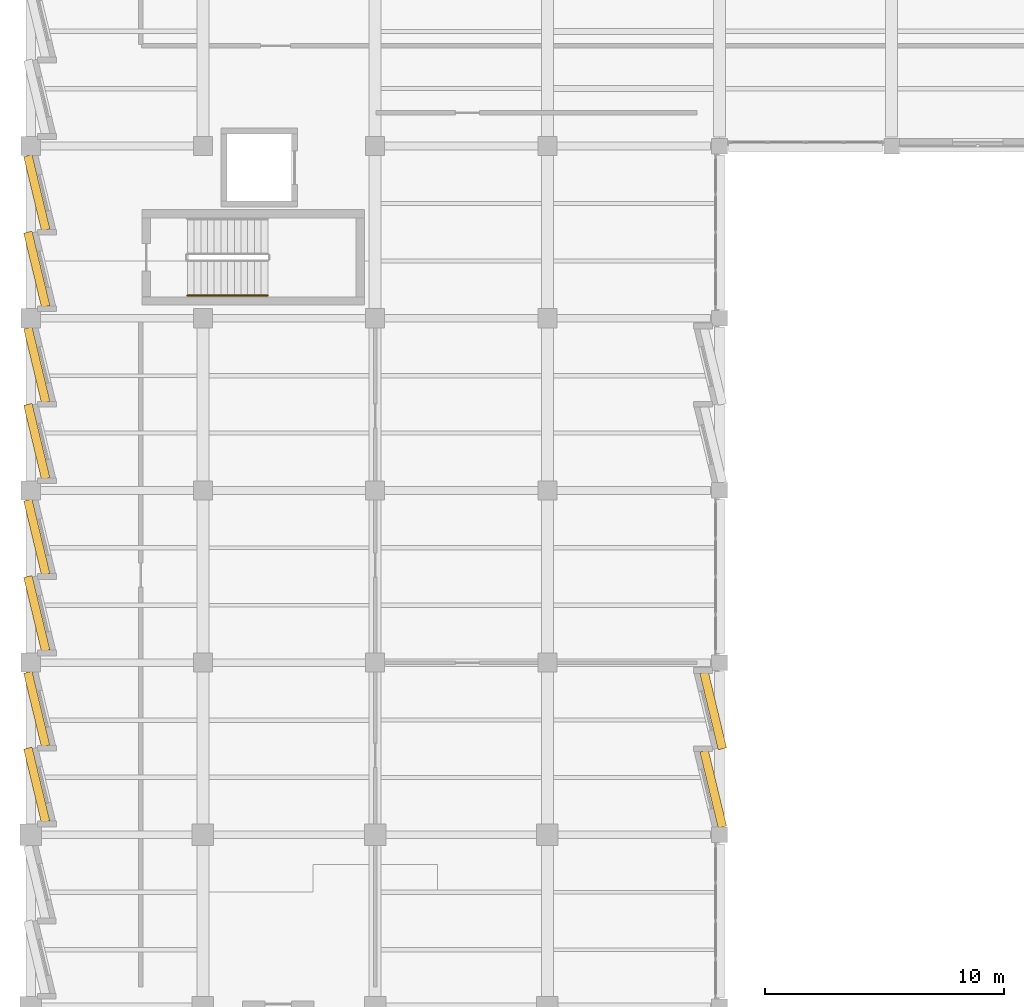
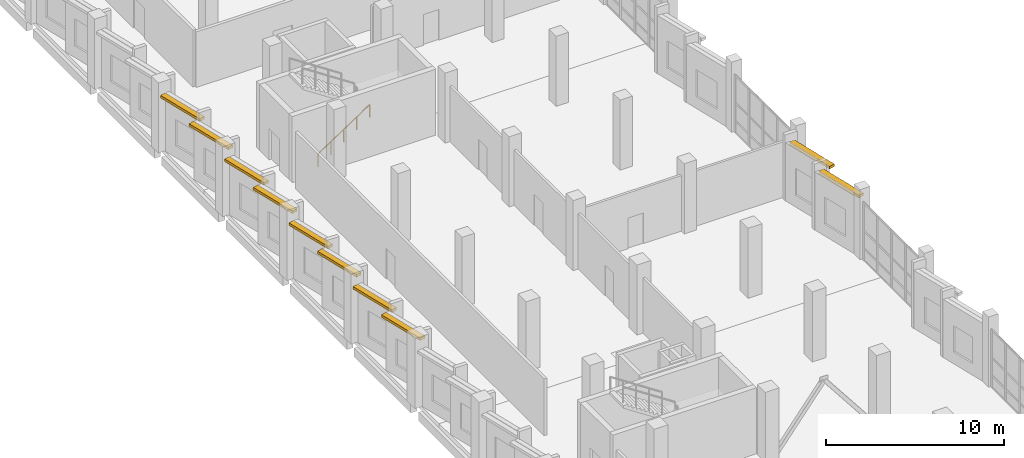
# One storey, part 114 of 127: 10 shading devices, 1 railing.
"""IFC4 building model written with IfcOpenShell, lengths in metres."""

import ifcopenshell
import ifcopenshell.guid

model = None  # the IFC model being written
_history = None  # IfcOwnerHistory: only IFC2X3 demands one
_inside = {}  # id of a spatial element -> (the spatial element, [elements in it])
_under = {}  # id of a project, library or spatial element -> (it, [spatial elements below it])
_declared = {}  # id of a project -> (the project, [libraries it declares])
_typed = {}  # id of a type object -> (the type object, [elements of that type])
_made_of = {}  # id of a material, layer set ... -> (it, [elements and type objects made of it])


def new_model(schema):
    """Start an empty IFC model of exactly this schema.

    Asked for "IFC4X3", IfcOpenShell would pick the latest addendum, in which some entities
    have other attributes; the version numbers below select the first issue.
    IFC2X3 requires an IfcOwnerHistory on every rooted entity: one is made here for all.
    """
    global model, _history
    if schema == "IFC4X3":
        model = ifcopenshell.file(schema_version=(4, 3, 0, 0))
    else:
        model = ifcopenshell.file(schema=schema)
    _inside.clear()
    _under.clear()
    _declared.clear()
    _typed.clear()
    _made_of.clear()
    _history = None
    if model.schema == "IFC2X3":
        org = make("IfcOrganization", Name="unknown")
        user = make(
            "IfcPersonAndOrganization",
            ThePerson=make("IfcPerson", FamilyName="unknown"),
            TheOrganization=org,
        )
        app = make(
            "IfcApplication",
            ApplicationDeveloper=org,
            Version="unknown",
            ApplicationFullName="unknown",
            ApplicationIdentifier="unknown",
        )
        _history = make(
            "IfcOwnerHistory",
            OwningUser=user,
            OwningApplication=app,
            ChangeAction="ADDED",
            CreationDate=0,
        )
    return model


def make(cls, **values):
    """One entity of the class cls with the attributes given. An attribute that is None is left unset."""
    return model.create_entity(
        cls, **{name: value for name, value in values.items() if value is not None}
    )


def rooted(cls, **values):
    """An entity with a GlobalId (a new one), such as an element, a storey or a relation."""
    return make(cls, GlobalId=ifcopenshell.guid.new(), OwnerHistory=_history, **values)


def si_unit(unit_type, name, prefix=None):
    """IfcSIUnit, for example si_unit("LENGTHUNIT", "METRE", prefix="MILLI")."""
    return make("IfcSIUnit", UnitType=unit_type, Prefix=prefix, Name=name)


def assignment(units):
    """IfcUnitAssignment: the units of a project."""
    return None if units is None else make("IfcUnitAssignment", Units=units)


def point(xyz):
    """IfcCartesianPoint."""
    return None if xyz is None else make("IfcCartesianPoint", Coordinates=xyz)


def direction(xyz):
    """IfcDirection."""
    return None if xyz is None else make("IfcDirection", DirectionRatios=xyz)


def frame(location, z_axis=None, x_axis=None):
    """IfcAxis2Placement3D, a coordinate frame: its origin and axes. An axis left out is left unset."""
    return make(
        "IfcAxis2Placement3D",
        Location=point(location),
        Axis=direction(z_axis),
        RefDirection=direction(x_axis),
    )


def frame_2d(location, x_axis=None):
    """IfcAxis2Placement2D, a coordinate frame in the plane: its origin and x axis."""
    return make(
        "IfcAxis2Placement2D", Location=point(location), RefDirection=direction(x_axis)
    )


def origin():
    """The frame at (0, 0, 0) with its axes left unset."""
    return frame((0.0, 0.0, 0.0))


def origin_2d():
    """The frame at (0, 0) in the plane with its x axis left unset."""
    return frame_2d((0.0, 0.0))


def place(relative_to, where):
    """IfcLocalPlacement: puts the frame where relative to a parent placement (None: the world)."""
    return make(
        "IfcLocalPlacement", PlacementRelTo=relative_to, RelativePlacement=where
    )


def context(
    kind, dimensions, precision=None, world=None, true_north=None, identifier=None
):
    """IfcGeometricRepresentationContext, for example the 3D "Model" context."""
    return make(
        "IfcGeometricRepresentationContext",
        ContextIdentifier=identifier,
        ContextType=kind,
        CoordinateSpaceDimension=dimensions,
        Precision=precision,
        WorldCoordinateSystem=world,
        TrueNorth=true_north,
    )


def subcontext(parent, identifier, kind, view, scale=None):
    """IfcGeometricRepresentationSubContext, for example "Body" below "Model"."""
    return make(
        "IfcGeometricRepresentationSubContext",
        ContextIdentifier=identifier,
        ContextType=kind,
        ParentContext=parent,
        TargetScale=scale,
        TargetView=view,
    )


def project(units=None, contexts=None):
    """IfcProject with its units and contexts."""
    return rooted(
        "IfcProject",
        Name="project",
        RepresentationContexts=contexts,
        UnitsInContext=assignment(units),
    )


def spatial(cls, under=None, at=None, **own):
    """A site, building, storey or space (cls), placed at a placement, below another one or the project."""
    s = rooted(cls, ObjectPlacement=at, **own)
    if under is not None:
        _under.setdefault(under.id(), (under, []))[1].append(s)
    return s


def profile(cls, at=None, kind="AREA", **sizes):
    """A parametric profile (cls). Its sizes go by their IFC names, for example OverallWidth=200.0."""
    return make(cls, ProfileType=kind, Position=at, **sizes)


def rectangle(**sizes):
    """IfcRectangleProfileDef."""
    return profile("IfcRectangleProfileDef", **sizes)


def circle(**sizes):
    """IfcCircleProfileDef."""
    return profile("IfcCircleProfileDef", **sizes)


def extrude(swept, where, along, depth):
    """IfcExtrudedAreaSolid: the profile swept, set in the frame where, extruded along a direction by depth."""
    return make(
        "IfcExtrudedAreaSolid",
        SweptArea=swept,
        Position=where,
        ExtrudedDirection=direction(along),
        Depth=depth,
    )


def shape(context_of_items, identifier, shape_type, items):
    """IfcShapeRepresentation: the items that make up one representation, for example the "Body"."""
    return make(
        "IfcShapeRepresentation",
        ContextOfItems=context_of_items,
        RepresentationIdentifier=identifier,
        RepresentationType=shape_type,
        Items=items,
    )


def material(Name=None, Category=None):
    """IfcMaterial."""
    return make("IfcMaterial", Name=Name, Category=Category)


def layer(
    of_material, thickness, ventilated=None, Name=None, Category=None, Priority=None
):
    """IfcMaterialLayer: one layer of a wall or slab, of a material (None: an air gap)."""
    return make(
        "IfcMaterialLayer",
        Material=of_material,
        LayerThickness=thickness,
        IsVentilated=ventilated,
        Name=Name,
        Category=Category,
        Priority=Priority,
    )


def layer_set(layers, Name=None):
    """IfcMaterialLayerSet."""
    return make("IfcMaterialLayerSet", MaterialLayers=layers, LayerSetName=Name)


def made_of(thing, what):
    """Note that an element or type object is made of a material, layer set ...; save() writes the relation."""
    if what is not None:
        _made_of.setdefault(what.id(), (what, []))[1].append(thing)
    return thing


def type_object(cls, material=None, **own):
    """A type object (cls), such as IfcWallType, which elements share."""
    return made_of(rooted(cls, **own), material)


def element(
    cls,
    number,
    at=None,
    inside=None,
    cuts=None,
    type_object=None,
    material=None,
    context=None,
    identifier="Body",
    shape_type=None,
    held_by="IfcProductDefinitionShape",
    body=None,
    shapes=None,
    **own,
):
    """One element of the class cls, such as IfcWall. Its Tag is "e" and its number.

    at: its placement. inside: the storey or other place that contains it. cuts: it is an
    opening in that element (IfcRelVoidsElement). A single representation is given by context,
    identifier, shape_type and body (its items); several are given by shapes. held_by: the class
    of the entity that holds the representations. save() writes the other relations.
    """
    e = rooted(cls, Tag="e%d" % number, ObjectPlacement=at, **own)
    if body is not None:
        shapes = [shape(context, identifier, shape_type, body)]
    if shapes is not None:
        e.Representation = make(held_by, Representations=shapes)
    if inside is not None:
        _inside.setdefault(inside.id(), (inside, []))[1].append(e)
    if cuts is not None:
        rooted(
            "IfcRelVoidsElement", RelatingBuildingElement=cuts, RelatedOpeningElement=e
        )
    if type_object is not None:
        _typed.setdefault(type_object.id(), (type_object, []))[1].append(e)
    return made_of(e, material)


def aggregate(whole, parts):
    """IfcRelAggregates: a whole, such as a stair, and the parts it consists of."""
    return rooted("IfcRelAggregates", RelatingObject=whole, RelatedObjects=parts)


def save(model, path):
    """Write the relations noted so far, then the file.

    IfcRelAggregates (storeys below a building ...), IfcRelContainedInSpatialStructure (elements
    in a storey), IfcRelDefinesByType, IfcRelAssociatesMaterial and IfcRelDeclares: one each for
    every whole, place, type object, material and project.
    """
    for whole, parts in _under.values():
        aggregate(whole, parts)
    for where, things in _inside.values():
        rooted(
            "IfcRelContainedInSpatialStructure",
            RelatedElements=things,
            RelatingStructure=where,
        )
    for kind, things in _typed.values():
        rooted("IfcRelDefinesByType", RelatedObjects=things, RelatingType=kind)
    for what, things in _made_of.values():
        rooted("IfcRelAssociatesMaterial", RelatedObjects=things, RelatingMaterial=what)
    for by, libraries in _declared.values():
        rooted("IfcRelDeclares", RelatingContext=by, RelatedDefinitions=libraries)
    model.write(path)


model = new_model("IFC4")

# Units and contexts
model_context = context("Model", 3, precision=1e-05, world=origin(), true_north=direction((0.0, 1.0)))
body_context = subcontext(model_context, "Body", "Model", "MODEL_VIEW")
ifc_project = project(units=[si_unit("LENGTHUNIT", "METRE"), si_unit("AREAUNIT", "SQUARE_METRE"), si_unit("VOLUMEUNIT", "CUBIC_METRE"), si_unit("PLANEANGLEUNIT", "RADIAN"), si_unit("MASSUNIT", "GRAM", prefix="KILO")], contexts=[model_context])

# Site, building, storey
site_placement = place(None, origin())
site = spatial("IfcSite", under=ifc_project, at=site_placement, CompositionType="ELEMENT")
building_placement = place(site_placement, origin())
building = spatial("IfcBuilding", under=site, at=building_placement, Name="Kalmorath City Hall", CompositionType="ELEMENT")
storey_placement = place(building_placement, frame((0.0, 0.0, 5.39990234375)))
storey = spatial("IfcBuildingStorey", under=building, at=storey_placement, Name="L01", CompositionType="ELEMENT", Elevation=5.39990234375)

# Shading devices
ifc_material_1 = material(Name="Precast concrete C40/50", Category="concrete")
ifc_layer = layer(ifc_material_1, 0.179931640625)
ifc_layer_set = layer_set([ifc_layer], Name="Precast concrete C40/50")
shading_device_type = type_object("IfcShadingDeviceType", Name="Precast sawtooth brow sunshade 350", PredefinedType="USERDEFINED", material=ifc_layer_set)
for number, where, z_axis, x_axis, name in (
    (1, (0.25, 66.88427734375, 3.76611328125), (0.0, 0.0, 1.0), (-0.233445363856, 0.972369920398, 0.0), "L01 precast sawtooth hood #104"),
    (2, (0.25, 70.05810546875, 3.76611328125), (0.0, 0.0, 1.0), (-0.233445363856, 0.972369920398, 0.0), "L01 precast sawtooth hood #105"),
):
    element("IfcShadingDevice", number, at=place(storey_placement, frame(where, z_axis=z_axis, x_axis=x_axis)), inside=storey, type_object=shading_device_type, Name=name, ObjectType="SUNSHADE", PredefinedType="USERDEFINED", context=body_context, shape_type="SweptSolid", body=[
        extrude(rectangle(XDim=3.169189453125, YDim=0.360107421875, at=origin_2d()), origin(), (0.0, 0.0, 1.0), 0.179931640625),
    ])
for number, where, z_axis, x_axis, name in (
    (3, (0.2529296875, 74.046630859375, 3.76611328125), (0.0, 0.0, 1.0), (-0.233445363856, 0.972369920398, 0.0), "L01 precast sawtooth hood #106"),
    (4, (0.2529296875, 77.24560546875, 3.76611328125), (0.0, 0.0, 1.0), (-0.233445363856, 0.972369920398, 0.0), "L01 precast sawtooth hood #107"),
    (5, (0.2529296875, 81.24658203125, 3.76611328125), (0.0, 0.0, 1.0), (-0.233445363856, 0.972369920398, 0.0), "L01 precast sawtooth hood #108"),
    (6, (0.2529296875, 84.44580078125, 3.76611328125), (0.0, 0.0, 1.0), (-0.233445363856, 0.972369920398, 0.0), "L01 precast sawtooth hood #109"),
    (7, (0.2529296875, 88.44677734375, 3.76611328125), (0.0, 0.0, 1.0), (-0.233445363856, 0.972369920398, 0.0), "L01 precast sawtooth hood #110"),
    (8, (0.2529296875, 91.645751953125, 3.76611328125), (0.0, 0.0, 1.0), (-0.233445363856, 0.972369920398, 0.0), "L01 precast sawtooth hood #111"),
):
    element("IfcShadingDevice", number, at=place(storey_placement, frame(where, z_axis=z_axis, x_axis=x_axis)), inside=storey, type_object=shading_device_type, Name=name, ObjectType="SUNSHADE", PredefinedType="USERDEFINED", context=body_context, shape_type="SweptSolid", body=[
        extrude(rectangle(XDim=3.19482421875, YDim=0.360107421875, at=origin_2d()), origin(), (0.0, 0.0, 1.0), 0.179931640625),
    ])
for number, where, z_axis, x_axis, name in (
    (9, (28.5380859375, 69.99072265625, 3.76611328125), (0.0, 0.0, 1.0), (0.233445363856, -0.972369920398, 0.0), "L01 precast sawtooth hood #180"),
    (10, (28.5380859375, 66.716796875, 3.76611328125), (0.0, 0.0, 1.0), (0.233445363856, -0.972369920398, 0.0), "L01 precast sawtooth hood #181"),
):
    element("IfcShadingDevice", number, at=place(storey_placement, frame(where, z_axis=z_axis, x_axis=x_axis)), inside=storey, type_object=shading_device_type, Name=name, ObjectType="SUNSHADE", PredefinedType="USERDEFINED", context=body_context, shape_type="SweptSolid", body=[
        extrude(rectangle(XDim=3.27197265625, YDim=0.360107421875, at=origin_2d()), origin(), (0.0, 0.0, 1.0), 0.179931640625),
    ])

# Railing
ifc_material_2 = material(Name="Brushed stainless steel handrail", Category="steel")
railing_type = type_object("IfcRailingType", Name="Stair pitch handrail 900", PredefinedType="HANDRAIL", material=ifc_material_2)
railing_placement = place(storey_placement, frame((6.550048828125, 87.35009765625, 0.184814453125)))
element("IfcRailing", 11, at=railing_placement, inside=storey, type_object=railing_type, Name="L01 ST-4 stair handrail 1", PredefinedType="HANDRAIL", context=body_context, shape_type="SweptSolid", body=[
    extrude(circle(Radius=0.02392578125, at=origin_2d()), frame((0.0, 0.0, 0.8759765625), z_axis=(0.834858096282, 0.0, 0.550465220583), x_axis=(0.0, 1.0, 0.0)), (0.0, 0.0, 1.0), 4.0244140625),
    extrude(circle(Radius=0.02099609375, at=origin_2d()), origin(), (0.0, 0.0, 1.0), 0.851806640625),
    extrude(circle(Radius=0.02099609375, at=origin_2d()), frame((0.83984375, 0.0, 0.5537109375)), (0.0, 0.0, 1.0), 0.851806640625),
    extrude(circle(Radius=0.02099609375, at=origin_2d()), frame((1.679931640625, 0.0, 1.107666015625)), (0.0, 0.0, 1.0), 0.851806640625),
    extrude(circle(Radius=0.02099609375, at=origin_2d()), frame((2.52001953125, 0.0, 1.66162109375)), (0.0, 0.0, 1.0), 0.851806640625),
    extrude(circle(Radius=0.02099609375, at=origin_2d()), frame((3.35986328125, 0.0, 2.21533203125)), (0.0, 0.0, 1.0), 0.851806640625),
])

save(model, "model.ifc")
